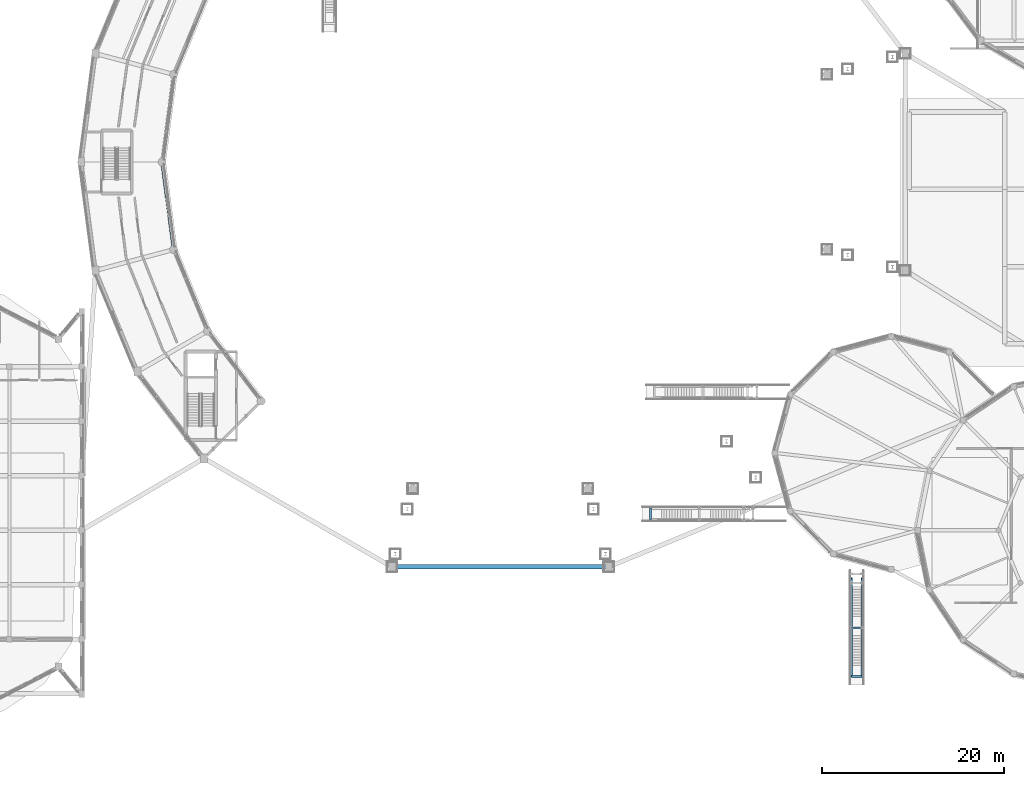
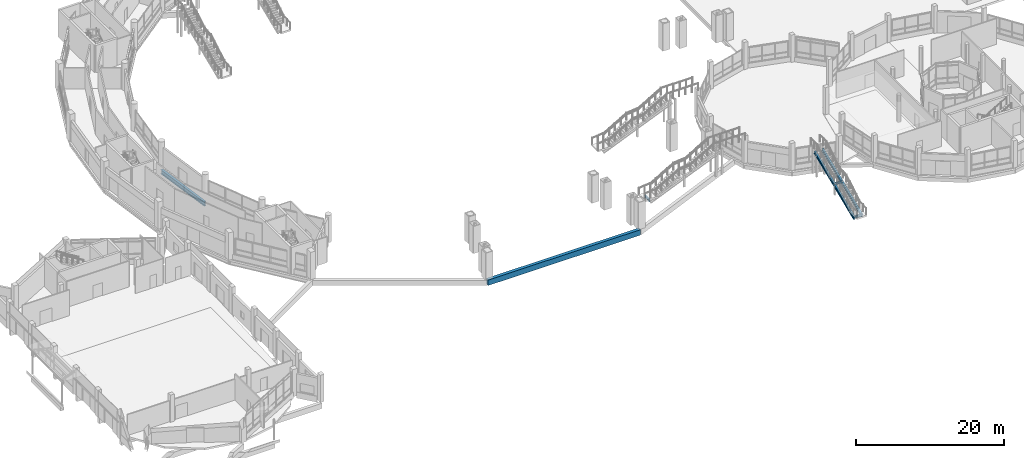
# One storey, part 32 of 129: 9 beams.
"""IFC4 building model written with IfcOpenShell, lengths in metres."""

from ifc_helpers import new_model, si_unit, direction, frame, origin, origin_2d, place, context, subcontext, project, spatial, rectangle, i_section, extrude, material, material_profile, profile_set, type_object, element, save


model = new_model("IFC4")

# Units and contexts
model_context = context("Model", 3, precision=1e-05, world=origin(), true_north=direction((0.0, 1.0)))
body_context = subcontext(model_context, "Body", "Model", "MODEL_VIEW")
ifc_project = project(units=[si_unit("LENGTHUNIT", "METRE"), si_unit("AREAUNIT", "SQUARE_METRE"), si_unit("VOLUMEUNIT", "CUBIC_METRE"), si_unit("PLANEANGLEUNIT", "RADIAN"), si_unit("MASSUNIT", "GRAM", prefix="KILO")], contexts=[model_context])

# Site, building, storey
site_placement = place(None, origin())
site = spatial("IfcSite", under=ifc_project, at=site_placement, CompositionType="ELEMENT")
building_placement = place(site_placement, origin())
building = spatial("IfcBuilding", under=site, at=building_placement, Name="Vespera Passage Community Centre", CompositionType="ELEMENT")
storey_placement = place(building_placement, origin())
storey = spatial("IfcBuildingStorey", under=building, at=storey_placement, Name="L00", CompositionType="ELEMENT", Elevation=0.0)

# Beams
ifc_material_1 = material(Name="Concrete f'c 45 MPa", Category="concrete")
ifc_material_profile_1 = material_profile(ifc_material_1, rectangle(XDim=0.5, YDim=0.89990234375, at=origin_2d()), Name="RC500X900")
ifc_profile_set_1 = profile_set([ifc_material_profile_1], Name="Concrete f'c 45 MPa")
beam_type_1 = type_object("IfcBeamType", Name="BM-G-500X900", PredefinedType="BEAM", material=ifc_profile_set_1)
beam_1_placement = place(storey_placement, frame((66.068359375, 20.970703125, -0.7900390625), z_axis=(1.0, 0.0, 0.0), x_axis=(0.0, 1.0, 0.0)))
element("IfcBeam", 1, at=beam_1_placement, inside=storey, type_object=beam_type_1, Name="Subgrade Structural Tie Girder 4", PredefinedType="BEAM", context=body_context, shape_type="SweptSolid", body=[
    extrude(rectangle(XDim=0.5, YDim=0.89990234375, at=origin_2d()), origin(), (0.0, 0.0, 1.0), 23.86328125),
])
ifc_material_2 = material(Name="Steel ASTM A992 Grade 50", Category="steel")
ifc_material_profile_2 = material_profile(ifc_material_2, i_section(OverallWidth=0.280517578125, OverallDepth=0.46240234375, WebThickness=0.0107421875, FlangeThickness=0.017333984375, FilletRadius=0.01025390625, at=origin_2d()), Name="W18X76")
ifc_profile_set_2 = profile_set([ifc_material_profile_2], Name="Steel ASTM A992 Grade 50")
beam_type_2 = type_object("IfcBeamType", Name="BM-RB-W18X76E", PredefinedType="SPANDREL", material=ifc_profile_set_2)
beam_2_placement = place(storey_placement, frame((117.794921875, 8.925048828125, -0.679931640625), z_axis=(0.0, 0.92179366475, 0.38768084764), x_axis=(-1.0, 0.0, 0.0)))
element("IfcBeam", 2, at=beam_2_placement, inside=storey, type_object=beam_type_2, Name="ST-CRT-05 Stringer 1.1", PredefinedType="SPANDREL", context=body_context, shape_type="SweptSolid", body=[
    extrude(i_section(OverallWidth=0.280517578125, OverallDepth=0.46240234375, WebThickness=0.0107421875, FlangeThickness=0.017333984375, FilletRadius=0.01025390625, at=origin_2d()), origin(), (0.0, 0.0, 1.0), 5.8037109375),
])
beam_3_placement = place(storey_placement, frame((117.794921875, 14.27490234375, 1.570068359375), z_axis=(0.0, 0.923706596521, 0.383100670246), x_axis=(-1.0, 0.0, 0.0)))
element("IfcBeam", 3, at=beam_3_placement, inside=storey, type_object=beam_type_2, Name="ST-CRT-05 Stringer 1.2", PredefinedType="SPANDREL", context=body_context, shape_type="SweptSolid", body=[
    extrude(i_section(OverallWidth=0.280517578125, OverallDepth=0.46240234375, WebThickness=0.0107421875, FlangeThickness=0.017333984375, FilletRadius=0.01025390625, at=origin_2d()), origin(), (0.0, 0.0, 1.0), 5.873046875),
])
beam_4_placement = place(storey_placement, frame((116.60498046875, 8.925048828125, -0.679931640625), z_axis=(0.0, 0.92179366475, 0.38768084764), x_axis=(-1.0, 0.0, 0.0)))
element("IfcBeam", 4, at=beam_4_placement, inside=storey, type_object=beam_type_2, Name="ST-CRT-05 Stringer 2.1", PredefinedType="SPANDREL", context=body_context, shape_type="SweptSolid", body=[
    extrude(i_section(OverallWidth=0.280517578125, OverallDepth=0.46240234375, WebThickness=0.0107421875, FlangeThickness=0.017333984375, FilletRadius=0.01025390625, at=origin_2d()), origin(), (0.0, 0.0, 1.0), 5.8037109375),
])
beam_5_placement = place(storey_placement, frame((116.60498046875, 14.27490234375, 1.570068359375), z_axis=(0.0, 0.923706596521, 0.383100670246), x_axis=(-1.0, 0.0, 0.0)))
element("IfcBeam", 5, at=beam_5_placement, inside=storey, type_object=beam_type_2, Name="ST-CRT-05 Stringer 2.2", PredefinedType="SPANDREL", context=body_context, shape_type="SweptSolid", body=[
    extrude(i_section(OverallWidth=0.280517578125, OverallDepth=0.46240234375, WebThickness=0.0107421875, FlangeThickness=0.017333984375, FilletRadius=0.01025390625, at=origin_2d()), origin(), (0.0, 0.0, 1.0), 5.873046875),
])
ifc_material_3 = material(Name="Steel ASTM A992 Grade 50", Category="steel")
ifc_material_profile_3 = material_profile(ifc_material_3, i_section(OverallWidth=0.3544921875, OverallDepth=0.695556640625, WebThickness=0.015380859375, FlangeThickness=0.024658203125, FilletRadius=0.01513671875, at=origin_2d()), Name="W27X146")
ifc_profile_set_3 = profile_set([ifc_material_profile_3], Name="Steel ASTM A992 Grade 50")
beam_type_3 = type_object("IfcBeamType", Name="BM-SP-W27X146E", PredefinedType="SPANDREL", material=ifc_profile_set_3)
beam_6_placement = place(storey_placement, frame((40.800048828125, 65.5, -0.627685546875), z_axis=(0.130526697639, -0.991444794834, 0.0), x_axis=(0.991444794834, 0.130526697639, 0.0)))
element("IfcBeam", 6, at=beam_6_placement, inside=storey, type_object=beam_type_3, Name="V4 L00 Inner Spandrel 12", PredefinedType="SPANDREL", context=body_context, shape_type="SweptSolid", body=[
    extrude(i_section(OverallWidth=0.3544921875, OverallDepth=0.695556640625, WebThickness=0.015380859375, FlangeThickness=0.024658203125, FilletRadius=0.01513671875, at=origin_2d()), origin(), (0.0, 0.0, 1.0), 9.711181640625),
])
ifc_material_4 = material(Name="Steel ASTM A992 Grade 50", Category="steel")
ifc_material_profile_4 = material_profile(ifc_material_4, i_section(OverallWidth=0.2041015625, OverallDepth=0.3505859375, WebThickness=0.008544921875, FlangeThickness=0.01513671875, FilletRadius=0.01513671875, at=origin_2d()), Name="W14X48")
ifc_profile_set_4 = profile_set([ifc_material_profile_4], Name="Steel ASTM A992 Grade 50")
beam_type_4 = type_object("IfcBeamType", Name="BM-STR-W14X48E", PredefinedType="BEAM", material=ifc_profile_set_4)
beam_7_placement = place(storey_placement, frame((94.52490234375, 26.155029296875, -0.43505859375), z_axis=(0.0, 1.0, 0.0), x_axis=(-1.0, 0.0, 0.0)))
element("IfcBeam", 7, at=beam_7_placement, inside=storey, type_object=beam_type_4, Name="ST-CRT-01 B Header", PredefinedType="BEAM", context=body_context, shape_type="SweptSolid", body=[
    extrude(i_section(OverallWidth=0.2041015625, OverallDepth=0.3505859375, WebThickness=0.008544921875, FlangeThickness=0.01513671875, FilletRadius=0.01513671875, at=origin_2d()), origin(), (0.0, 0.0, 1.0), 1.2900390625),
])
for number, where, z_axis, x_axis, name in (
    (8, (117.794921875, 8.925048828125, -0.43505859375), (-1.0, 0.0, 0.0), (0.0, -1.0, 0.0), "ST-CRT-05 B Header"),
    (9, (117.794921875, 14.27490234375, 1.81494140625), (-1.0, 0.0, 0.0), (0.0, -1.0, 0.0), "ST-CRT-05 M Header"),
):
    element("IfcBeam", number, at=place(storey_placement, frame(where, z_axis=z_axis, x_axis=x_axis)), inside=storey, type_object=beam_type_4, Name=name, PredefinedType="BEAM", context=body_context, shape_type="SweptSolid", body=[
        extrude(i_section(OverallWidth=0.2041015625, OverallDepth=0.3505859375, WebThickness=0.008544921875, FlangeThickness=0.01513671875, FilletRadius=0.01513671875, at=origin_2d()), origin(), (0.0, 0.0, 1.0), 1.18994140625),
    ])

save(model, "model.ifc")
